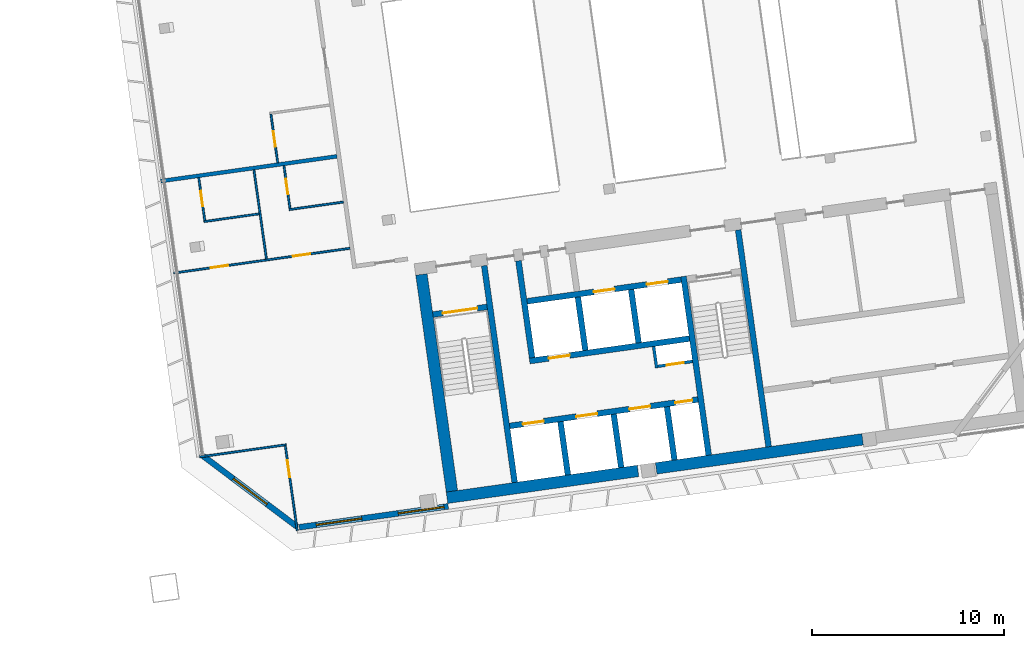
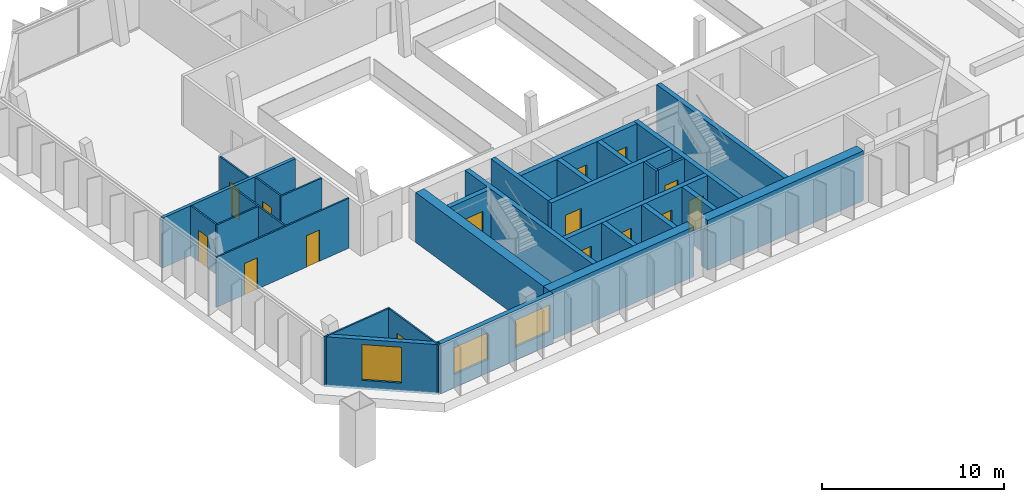
# One storey, part 13 of 19: 30 walls, 15 doors, 3 windows, 18 openings.
"""IFC4 building model written with IfcOpenShell, lengths in metres."""

from ifc_helpers import new_model, si_unit, direction, frame, frame_2d, origin, place, context, subcontext, project, spatial, rectangle, extrude, material, layer, layer_set, type_object, element, fill, save


model = new_model("IFC4")

# Units and contexts
model_context = context("Model", 3, precision=1e-05, world=origin(), true_north=direction((0.0, 1.0)))
body_context = subcontext(model_context, "Body", "Model", "MODEL_VIEW")
ifc_project = project(units=[si_unit("LENGTHUNIT", "METRE"), si_unit("AREAUNIT", "SQUARE_METRE"), si_unit("VOLUMEUNIT", "CUBIC_METRE"), si_unit("PLANEANGLEUNIT", "RADIAN"), si_unit("MASSUNIT", "GRAM", prefix="KILO")], contexts=[model_context])

# Site, building, storey
site_placement = place(None, origin())
site = spatial("IfcSite", under=ifc_project, at=site_placement, CompositionType="ELEMENT")
building_placement = place(site_placement, origin())
building = spatial("IfcBuilding", under=site, at=building_placement, Name="Mirante Cascada Hotel Towers", CompositionType="ELEMENT")
storey_placement = place(building_placement, frame((0.0, 0.0, 231.8)))
storey = spatial("IfcBuildingStorey", under=building, at=storey_placement, Name="L55", CompositionType="ELEMENT", Elevation=231.8)

# Walls
ifc_material_1 = material(Name="Fire-rated plasterboard on metal studs")
ifc_layer_1 = layer(ifc_material_1, 0.2)
ifc_layer_set_1 = layer_set([ifc_layer_1], Name="Compartment wall 200 EI 120")
wall_type_1 = type_object("IfcWallType", Name="Compartment wall 200 EI 120", PredefinedType="PARTITIONING", material=ifc_layer_set_1)
wall_1_placement = place(storey_placement, frame((22.4148, -3.066, 0.0), z_axis=(0.0, 0.0, 1.0), x_axis=(0.9902681, 0.1391728, 0.0)))
element("IfcWall", 1, at=wall_1_placement, inside=storey, type_object=wall_type_1, Name="Wall 2-L55-06", PredefinedType="PARTITIONING", context=body_context, shape_type="SweptSolid", body=[
    extrude(rectangle(XDim=9.2597, YDim=0.2, at=frame_2d((4.6298, 0.0))), origin(), (0.0, 0.0, 1.0), 3.35),
])
ifc_material_2 = material(Name="Masonry block", Category="masonry")
ifc_layer_2 = layer(ifc_material_2, 0.15)
ifc_layer_set_2 = layer_set([ifc_layer_2], Name="Core room partition 150 block EI 30")
wall_type_2 = type_object("IfcWallType", Name="Core room partition 150 block EI 30", PredefinedType="PARTITIONING", material=ifc_layer_set_2)
wall_2_placement = place(storey_placement, frame((48.2295, -12.793, 0.0), z_axis=(0.0, 0.0, 1.0), x_axis=(-0.1391935, 0.9902652, 0.0)))
element("IfcWall", 2, at=wall_2_placement, inside=storey, type_object=wall_type_2, Name="Core wall partition T2 L55 2", PredefinedType="PARTITIONING", context=body_context, shape_type="SweptSolid", body=[
    extrude(rectangle(XDim=1.1251, YDim=0.15, at=frame_2d((0.5626, 0.0))), origin(), (0.0, 0.0, 1.0), 3.35),
])

# Wall, opening, door
wall_3_placement = place(storey_placement, frame((48.2933, -12.7083, 0.0), z_axis=(0.0, 0.0, 1.0), x_axis=(0.990268, 0.1391734, 0.0)))
wall_3 = element("IfcWall", 3, at=wall_3_placement, inside=storey, type_object=wall_type_2, Name="Core wall partition T2 L55 3", PredefinedType="PARTITIONING", context=body_context, shape_type="SweptSolid", body=[
    extrude(rectangle(XDim=1.8251, YDim=0.15, at=frame_2d((0.9126, 0.0))), origin(), (0.0, 0.0, 1.0), 3.35),
])
opening_1_placement = place(wall_3_placement, frame((0.4625, 0.0, 0.0)))
opening_1 = element("IfcOpeningElement", 4, at=opening_1_placement, cuts=wall_3, Name="Opening D2-55-C15", PredefinedType="OPENING", context=body_context, shape_type="SweptSolid", body=[
    extrude(rectangle(XDim=0.9, YDim=2.1, at=frame_2d((0.45, 1.05))), frame((0.0, 0.075, 0.0), z_axis=(0.0, -1.0, 0.0), x_axis=(1.0, 0.0, 0.0)), (0.0, 0.0, 1.0), 0.15),
])
ifc_material_3 = material(Name="Hollow metal fire door leaf")
door_type_1 = type_object("IfcDoorType", Name="Fire door 900x2100 FD60", OperationType="NOTDEFINED", PredefinedType="DOOR", material=ifc_material_3)
door_1_placement = place(opening_1_placement, frame((0.9, 0.0, 0.0), z_axis=(0.0, 0.0, 1.0), x_axis=(-1.0, 0.0, 0.0)))
door_1 = element("IfcDoor", 5, at=door_1_placement, inside=storey, type_object=door_type_1, Name="Riser door T2 L55 15", OperationType="SINGLE_SWING_RIGHT", OverallHeight=2.1, OverallWidth=0.9, PredefinedType="DOOR", context=body_context, shape_type="SweptSolid", body=[
    extrude(rectangle(XDim=0.9, YDim=2.1, at=frame_2d((0.45, 1.05))), frame((0.0, 0.025, 0.0), z_axis=(0.0, -1.0, 0.0), x_axis=(1.0, 0.0, 0.0)), (0.0, 0.0, 1.0), 0.05),
])
fill(opening_1, door_1)

# Wall
ifc_material_4 = material(Name="Plasterboard on metal studs")
ifc_layer_3 = layer(ifc_material_4, 0.1)
ifc_layer_set_3 = layer_set([ifc_layer_3], Name="Partition 100")
wall_type_3 = type_object("IfcWallType", Name="Partition 100", PredefinedType="PARTITIONING", material=ifc_layer_set_3)
wall_4_placement = place(storey_placement, frame((28.9386, -16.7917, 0.0), z_axis=(0.0, 0.0, 1.0), x_axis=(-0.9902691, -0.1391656, 0.0)))
element("IfcWall", 6, at=wall_4_placement, inside=storey, type_object=wall_type_3, Name="Wall 2-L55-01", PredefinedType="PARTITIONING", context=body_context, shape_type="SweptSolid", body=[
    extrude(rectangle(XDim=4.55, YDim=0.1, at=frame_2d((2.275, 0.0))), origin(), (0.0, 0.0, 1.0), 3.35),
])

# Wall, openings, doors
wall_5_placement = place(storey_placement, frame((32.2571, -6.5636, 0.0), z_axis=(0.0, 0.0, 1.0), x_axis=(-0.9902681, -0.1391728, 0.0)))
wall_5 = element("IfcWall", 7, at=wall_5_placement, inside=storey, type_object=wall_type_3, Name="Wall 2-L55-03", PredefinedType="PARTITIONING", context=body_context, shape_type="SweptSolid", body=[
    extrude(rectangle(XDim=9.2597, YDim=0.1, at=frame_2d((4.6298, 0.0))), origin(), (0.0, 0.0, 1.0), 3.35),
])
opening_2_placement = place(wall_5_placement, frame((6.4097, 0.0, 0.0)))
opening_2 = element("IfcOpeningElement", 8, at=opening_2_placement, cuts=wall_5, Name="Opening D2-L55-02", PredefinedType="OPENING", context=body_context, shape_type="SweptSolid", body=[
    extrude(rectangle(XDim=0.9, YDim=2.1, at=frame_2d((0.45, 1.05))), frame((0.0, 0.05, 0.0), z_axis=(0.0, -1.0, 0.0), x_axis=(1.0, 0.0, 0.0)), (0.0, 0.0, 1.0), 0.1),
])
opening_3_placement = place(wall_5_placement, frame((2.0899, 0.0, 0.0)))
opening_3 = element("IfcOpeningElement", 9, at=opening_3_placement, cuts=wall_5, Name="Opening D2-L55-03", PredefinedType="OPENING", context=body_context, shape_type="SweptSolid", body=[
    extrude(rectangle(XDim=0.9, YDim=2.1, at=frame_2d((0.45, 1.05))), frame((0.0, 0.05, 0.0), z_axis=(0.0, -1.0, 0.0), x_axis=(1.0, 0.0, 0.0)), (0.0, 0.0, 1.0), 0.1),
])
ifc_material_5 = material(Name="Timber door leaf", Category="wood")
door_type_2 = type_object("IfcDoorType", Name="Room door DG3 900x2100", OperationType="SINGLE_SWING_LEFT", PredefinedType="DOOR", material=ifc_material_5)
door_2_placement = place(opening_2_placement, origin())
door_2 = element("IfcDoor", 10, at=door_2_placement, inside=storey, type_object=door_type_2, Name="Door D2-L55-02", OperationType="SINGLE_SWING_LEFT", OverallHeight=2.1, OverallWidth=0.9, PredefinedType="DOOR", context=body_context, shape_type="SweptSolid", body=[
    extrude(rectangle(XDim=0.9, YDim=2.1, at=frame_2d((0.45, 1.05))), frame((0.0, 0.025, 0.0), z_axis=(0.0, -1.0, 0.0), x_axis=(1.0, 0.0, 0.0)), (0.0, 0.0, 1.0), 0.05),
])
fill(opening_2, door_2)
door_3_placement = place(opening_3_placement, origin())
door_3 = element("IfcDoor", 11, at=door_3_placement, inside=storey, type_object=door_type_2, Name="Door D2-L55-03", OperationType="SINGLE_SWING_LEFT", OverallHeight=2.1, OverallWidth=0.9, PredefinedType="DOOR", context=body_context, shape_type="SweptSolid", body=[
    extrude(rectangle(XDim=0.9, YDim=2.1, at=frame_2d((0.45, 1.05))), frame((0.0, 0.025, 0.0), z_axis=(0.0, -1.0, 0.0), x_axis=(1.0, 0.0, 0.0)), (0.0, 0.0, 1.0), 0.05),
])
fill(opening_3, door_3)

# Walls
wall_6_placement = place(storey_placement, frame((24.66, -5.1741, 0.0), z_axis=(0.0, 0.0, 1.0), x_axis=(0.9902683, 0.1391714, 0.0)))
element("IfcWall", 12, at=wall_6_placement, inside=storey, type_object=wall_type_3, Name="Wall 2-L55-04", PredefinedType="PARTITIONING", context=body_context, shape_type="SweptSolid", body=[
    extrude(rectangle(XDim=2.9, YDim=0.1, at=frame_2d((1.45, 0.0))), origin(), (0.0, 0.0, 1.0), 3.35),
])
wall_7_placement = place(storey_placement, frame((31.9184, -4.154, 0.0), z_axis=(0.0, 0.0, 1.0), x_axis=(-0.9902697, -0.1391613, 0.0)))
element("IfcWall", 13, at=wall_7_placement, inside=storey, type_object=wall_type_3, Name="Wall 2-L55-05", PredefinedType="PARTITIONING", context=body_context, shape_type="SweptSolid", body=[
    extrude(rectangle(XDim=2.8499, YDim=0.1, at=frame_2d((1.425, 0.0))), origin(), (0.0, 0.0, 1.0), 3.35),
])

# Wall, opening, door
wall_8_placement = place(storey_placement, frame((24.7025, -5.1176, 0.0), z_axis=(0.0, 0.0, 1.0), x_axis=(-0.1391561, 0.9902705, 0.0)))
wall_8 = element("IfcWall", 14, at=wall_8_placement, inside=storey, type_object=wall_type_3, Name="Wall 2-L55-18", PredefinedType="PARTITIONING", context=body_context, shape_type="SweptSolid", body=[
    extrude(rectangle(XDim=2.25, YDim=0.1, at=frame_2d((1.125, 0.0))), origin(), (0.0, 0.0, 1.0), 3.35),
])
opening_4_placement = place(wall_8_placement, frame((0.75, 0.0, 0.0)))
opening_4 = element("IfcOpeningElement", 15, at=opening_4_placement, cuts=wall_8, Name="Opening D2-L55-14", PredefinedType="OPENING", context=body_context, shape_type="SweptSolid", body=[
    extrude(rectangle(XDim=0.8, YDim=2.1, at=frame_2d((0.4, 1.05))), frame((0.0, 0.05, 0.0), z_axis=(0.0, -1.0, 0.0), x_axis=(1.0, 0.0, 0.0)), (0.0, 0.0, 1.0), 0.1),
])
ifc_material_6 = material(Name="Timber door leaf", Category="wood")
door_type_3 = type_object("IfcDoorType", Name="Bathroom door DG4 800x2100", OperationType="SINGLE_SWING_LEFT", PredefinedType="DOOR", material=ifc_material_6)
door_4_placement = place(opening_4_placement, frame((0.8, 0.0, 0.0), z_axis=(0.0, 0.0, 1.0), x_axis=(-1.0, 0.0, 0.0)))
door_4 = element("IfcDoor", 16, at=door_4_placement, inside=storey, type_object=door_type_3, Name="Door D2-L55-14", OperationType="SINGLE_SWING_RIGHT", OverallHeight=2.1, OverallWidth=0.8, PredefinedType="DOOR", context=body_context, shape_type="SweptSolid", body=[
    extrude(rectangle(XDim=0.8, YDim=2.1, at=frame_2d((0.4, 1.05))), frame((0.0, 0.025, 0.0), z_axis=(0.0, -1.0, 0.0), x_axis=(1.0, 0.0, 0.0)), (0.0, 0.0, 1.0), 0.05),
])
fill(opening_4, door_4)

wall_9_placement = place(storey_placement, frame((28.896, -16.8481, 0.0), z_axis=(0.0, 0.0, 1.0), x_axis=(0.1391684, -0.9902687, 0.0)))
wall_9 = element("IfcWall", 17, at=wall_9_placement, inside=storey, type_object=wall_type_3, Name="Wall 2-L55-19", PredefinedType="PARTITIONING", context=body_context, shape_type="SweptSolid", body=[
    extrude(rectangle(XDim=4.45, YDim=0.1, at=frame_2d((2.225, 0.0))), origin(), (0.0, 0.0, 1.0), 3.35),
])
opening_5_placement = place(wall_9_placement, frame((0.75, 0.0, 0.0)))
opening_5 = element("IfcOpeningElement", 18, at=opening_5_placement, cuts=wall_9, Name="Opening D2-L55-15", PredefinedType="OPENING", context=body_context, shape_type="SweptSolid", body=[
    extrude(rectangle(XDim=0.9, YDim=2.1, at=frame_2d((0.45, 1.05))), frame((0.0, 0.05, 0.0), z_axis=(0.0, -1.0, 0.0), x_axis=(1.0, 0.0, 0.0)), (0.0, 0.0, 1.0), 0.1),
])
door_5_placement = place(opening_5_placement, origin())
door_5 = element("IfcDoor", 19, at=door_5_placement, inside=storey, type_object=door_type_2, Name="Door D2-L55-15", OperationType="SINGLE_SWING_LEFT", OverallHeight=2.1, OverallWidth=0.9, PredefinedType="DOOR", context=body_context, shape_type="SweptSolid", body=[
    extrude(rectangle(XDim=0.9, YDim=2.1, at=frame_2d((0.45, 1.05))), frame((0.0, 0.025, 0.0), z_axis=(0.0, -1.0, 0.0), x_axis=(1.0, 0.0, 0.0)), (0.0, 0.0, 1.0), 0.05),
])
fill(opening_5, door_5)

# Wall
wall_10_placement = place(storey_placement, frame((27.913, -7.1236, 0.0), z_axis=(0.0, 0.0, 1.0), x_axis=(-0.139176, 0.9902677, 0.0)))
element("IfcWall", 20, at=wall_10_placement, inside=storey, type_object=wall_type_3, Name="Wall 2-L55-20", PredefinedType="PARTITIONING", context=body_context, shape_type="SweptSolid", body=[
    extrude(rectangle(XDim=4.6833, YDim=0.1, at=frame_2d((2.3416, 0.0))), origin(), (0.0, 0.0, 1.0), 3.35),
])

# Wall, opening, door
wall_11_placement = place(storey_placement, frame((28.1458, 0.4155, 0.0), z_axis=(0.0, 0.0, 1.0), x_axis=(0.1391755, -0.9902677, 0.0)))
wall_11 = element("IfcWall", 21, at=wall_11_placement, inside=storey, type_object=wall_type_3, Name="Wall 2-L55-21", PredefinedType="PARTITIONING", context=body_context, shape_type="SweptSolid", body=[
    extrude(rectangle(XDim=2.55, YDim=0.1, at=frame_2d((1.275, 0.0))), origin(), (0.0, 0.0, 1.0), 3.35),
])
opening_6_placement = place(wall_11_placement, frame((0.9, 0.0, 0.0)))
opening_6 = element("IfcOpeningElement", 22, at=opening_6_placement, cuts=wall_11, Name="Opening D2-L55-16", PredefinedType="OPENING", context=body_context, shape_type="SweptSolid", body=[
    extrude(rectangle(XDim=0.8, YDim=2.1, at=frame_2d((0.4, 1.05))), frame((0.0, 0.05, 0.0), z_axis=(0.0, -1.0, 0.0), x_axis=(1.0, 0.0, 0.0)), (0.0, 0.0, 1.0), 0.1),
])
door_6_placement = place(opening_6_placement, frame((0.8, 0.0, 0.0), z_axis=(0.0, 0.0, 1.0), x_axis=(-1.0, 0.0, 0.0)))
door_6 = element("IfcDoor", 23, at=door_6_placement, inside=storey, type_object=door_type_3, Name="Door D2-L55-16", OperationType="SINGLE_SWING_RIGHT", OverallHeight=2.1, OverallWidth=0.8, PredefinedType="DOOR", context=body_context, shape_type="SweptSolid", body=[
    extrude(rectangle(XDim=0.8, YDim=2.1, at=frame_2d((0.4, 1.05))), frame((0.0, 0.025, 0.0), z_axis=(0.0, -1.0, 0.0), x_axis=(1.0, 0.0, 0.0)), (0.0, 0.0, 1.0), 0.05),
])
fill(opening_6, door_6)

wall_12_placement = place(storey_placement, frame((29.1387, -4.4941, 0.0), z_axis=(0.0, 0.0, 1.0), x_axis=(-0.1391561, 0.9902705, 0.0)))
wall_12 = element("IfcWall", 24, at=wall_12_placement, inside=storey, type_object=wall_type_3, Name="Wall 2-L55-22", PredefinedType="PARTITIONING", context=body_context, shape_type="SweptSolid", body=[
    extrude(rectangle(XDim=2.25, YDim=0.1, at=frame_2d((1.125, 0.0))), origin(), (0.0, 0.0, 1.0), 3.35),
])
opening_7_placement = place(wall_12_placement, frame((0.75, 0.0, 0.0)))
opening_7 = element("IfcOpeningElement", 25, at=opening_7_placement, cuts=wall_12, Name="Opening D2-L55-17", PredefinedType="OPENING", context=body_context, shape_type="SweptSolid", body=[
    extrude(rectangle(XDim=0.8, YDim=2.1, at=frame_2d((0.4, 1.05))), frame((0.0, 0.05, 0.0), z_axis=(0.0, -1.0, 0.0), x_axis=(1.0, 0.0, 0.0)), (0.0, 0.0, 1.0), 0.1),
])
door_7_placement = place(opening_7_placement, frame((0.8, 0.0, 0.0), z_axis=(0.0, 0.0, 1.0), x_axis=(-1.0, 0.0, 0.0)))
door_7 = element("IfcDoor", 26, at=door_7_placement, inside=storey, type_object=door_type_3, Name="Door D2-L55-17", OperationType="SINGLE_SWING_RIGHT", OverallHeight=2.1, OverallWidth=0.8, PredefinedType="DOOR", context=body_context, shape_type="SweptSolid", body=[
    extrude(rectangle(XDim=0.8, YDim=2.1, at=frame_2d((0.4, 1.05))), frame((0.0, 0.025, 0.0), z_axis=(0.0, -1.0, 0.0), x_axis=(1.0, 0.0, 0.0)), (0.0, 0.0, 1.0), 0.05),
])
fill(opening_7, door_7)

# Wall, openings, windows
ifc_material_7 = material(Name="Precast concrete C40/50", Category="concrete")
ifc_layer_4 = layer(ifc_material_7, 0.3)
ifc_layer_set_4 = layer_set([ifc_layer_4], Name="Precast concrete C40/50 cladding wall 300")
wall_type_4 = type_object("IfcWallType", Name="Precast concrete C40/50 cladding wall 300", PredefinedType="STANDARD", material=ifc_layer_set_4)
wall_13_placement = place(storey_placement, frame((29.6174, -21.089, 0.0), z_axis=(0.0, 0.0, 1.0), x_axis=(0.990268, 0.1391733, 0.0)))
wall_13 = element("IfcWall", 27, at=wall_13_placement, inside=storey, type_object=wall_type_4, Name="Rear cladding wall T2 L55 1", PredefinedType="STANDARD", context=body_context, shape_type="SweptSolid", body=[
    extrude(rectangle(XDim=7.8356, YDim=0.3, at=frame_2d((3.9178, 0.0))), origin(), (0.0, 0.0, 1.0), 3.35),
])
opening_8_placement = place(wall_13_placement, frame((0.8965, 0.0, 0.9)))
opening_8 = element("IfcOpeningElement", 28, at=opening_8_placement, cuts=wall_13, Name="Opening W2-55-01", PredefinedType="OPENING", context=body_context, shape_type="SweptSolid", body=[
    extrude(rectangle(XDim=2.4, YDim=1.8, at=frame_2d((1.2, 0.9))), frame((0.0, 0.15, 0.0), z_axis=(0.0, -1.0, 0.0), x_axis=(1.0, 0.0, 0.0)), (0.0, 0.0, 1.0), 0.3),
])
opening_9_placement = place(wall_13_placement, frame((5.2134, 0.0, 0.9)))
opening_9 = element("IfcOpeningElement", 29, at=opening_9_placement, cuts=wall_13, Name="Opening W2-55-02", PredefinedType="OPENING", context=body_context, shape_type="SweptSolid", body=[
    extrude(rectangle(XDim=2.4, YDim=1.8, at=frame_2d((1.2, 0.9))), frame((0.0, 0.15, 0.0), z_axis=(0.0, -1.0, 0.0), x_axis=(1.0, 0.0, 0.0)), (0.0, 0.0, 1.0), 0.3),
])
ifc_material_8 = material(Name="Aluminium frame with clear double glazing", Category="aluminium")
window_type_1 = type_object("IfcWindowType", Name="Punched window 2400x1800", PartitioningType="DOUBLE_PANEL_VERTICAL", PredefinedType="WINDOW", material=ifc_material_8)
window_1_placement = place(opening_8_placement, origin())
window_1 = element("IfcWindow", 30, at=window_1_placement, inside=storey, type_object=window_type_1, Name="Window W2-55-01", OverallHeight=1.8, OverallWidth=2.4, PartitioningType="SINGLE_PANEL", PredefinedType="WINDOW", context=body_context, shape_type="SweptSolid", body=[
    extrude(rectangle(XDim=2.4, YDim=1.8, at=frame_2d((1.2, 0.9))), frame((0.0, 0.03, 0.0), z_axis=(0.0, -1.0, 0.0), x_axis=(1.0, 0.0, 0.0)), (0.0, 0.0, 1.0), 0.06),
])
fill(opening_8, window_1)
window_2_placement = place(opening_9_placement, origin())
window_2 = element("IfcWindow", 31, at=window_2_placement, inside=storey, type_object=window_type_1, Name="Window W2-55-02", OverallHeight=1.8, OverallWidth=2.4, PartitioningType="SINGLE_PANEL", PredefinedType="WINDOW", context=body_context, shape_type="SweptSolid", body=[
    extrude(rectangle(XDim=2.4, YDim=1.8, at=frame_2d((1.2, 0.9))), frame((0.0, 0.03, 0.0), z_axis=(0.0, -1.0, 0.0), x_axis=(1.0, 0.0, 0.0)), (0.0, 0.0, 1.0), 0.06),
])
fill(opening_9, window_2)

# Wall, opening, window
wall_14_placement = place(storey_placement, frame((24.6223, -17.3798, 0.0), z_axis=(0.0, 0.0, 1.0), x_axis=(0.7986362, -0.6018141, 0.0)))
wall_14 = element("IfcWall", 32, at=wall_14_placement, inside=storey, type_object=wall_type_4, Name="Corner cladding wall T2 L55 inner rear", PredefinedType="STANDARD", context=body_context, shape_type="SweptSolid", body=[
    extrude(rectangle(XDim=6.1157, YDim=0.3, at=frame_2d((3.0578, 0.0))), origin(), (0.0, 0.0, 1.0), 3.35),
])
opening_10_placement = place(wall_14_placement, frame((1.9578, 0.0, 0.6)))
opening_10 = element("IfcOpeningElement", 33, at=opening_10_placement, cuts=wall_14, Name="Opening W2-55-06", PredefinedType="OPENING", context=body_context, shape_type="SweptSolid", body=[
    extrude(rectangle(XDim=2.2, YDim=2.4, at=frame_2d((1.1, 1.2))), frame((0.0, 0.15, 0.0), z_axis=(0.0, -1.0, 0.0), x_axis=(1.0, 0.0, 0.0)), (0.0, 0.0, 1.0), 0.3),
])
ifc_material_9 = material(Name="Aluminium frame with clear double glazing", Category="aluminium")
window_type_2 = type_object("IfcWindowType", Name="Corner suite window 2200x2400", PartitioningType="DOUBLE_PANEL_VERTICAL", PredefinedType="WINDOW", material=ifc_material_9)
window_3_placement = place(opening_10_placement, origin())
window_3 = element("IfcWindow", 34, at=window_3_placement, inside=storey, type_object=window_type_2, Name="Window W2-55-06", OverallHeight=2.4, OverallWidth=2.2, PartitioningType="SINGLE_PANEL", PredefinedType="WINDOW", context=body_context, shape_type="SweptSolid", body=[
    extrude(rectangle(XDim=2.2, YDim=2.4, at=frame_2d((1.1, 1.2))), frame((0.0, 0.03, 0.0), z_axis=(0.0, -1.0, 0.0), x_axis=(1.0, 0.0, 0.0)), (0.0, 0.0, 1.0), 0.06),
])
fill(opening_10, window_3)

# Walls
ifc_material_10 = material(Name="Concrete C50/60", Category="concrete")
ifc_layer_5 = layer(ifc_material_10, 0.3)
ifc_layer_set_5 = layer_set([ifc_layer_5], Name="RC core wall 300 C50/60")
wall_type_5 = type_object("IfcWallType", Name="RC core wall 300 C50/60", PredefinedType="SHEAR", material=ifc_layer_set_5)
wall_15_placement = place(storey_placement, frame((40.8373, -18.7548, 0.0), z_axis=(0.0, 0.0, 1.0), x_axis=(-0.1391749, 0.9902678, 0.0)))
element("IfcWall", 35, at=wall_15_placement, inside=storey, type_object=wall_type_5, Name="Core wall T2:L55:5", PredefinedType="SHEAR", context=body_context, shape_type="SweptSolid", body=[
    extrude(rectangle(XDim=11.4, YDim=0.3, at=frame_2d((5.7, 0.0))), origin(), (0.0, 0.0, 1.0), 3.35),
])
wall_16_placement = place(storey_placement, frame((50.938, -17.3352, 0.0), z_axis=(0.0, 0.0, 1.0), x_axis=(-0.1391706, 0.9902684, 0.0)))
element("IfcWall", 36, at=wall_16_placement, inside=storey, type_object=wall_type_5, Name="Core wall T2:L55:6", PredefinedType="SHEAR", context=body_context, shape_type="SweptSolid", body=[
    extrude(rectangle(XDim=9.4, YDim=0.3, at=frame_2d((4.7, 0.0))), origin(), (0.0, 0.0, 1.0), 3.35),
])
wall_17_placement = place(storey_placement, frame((54.0574, -16.8968, 0.0), z_axis=(0.0, 0.0, 1.0), x_axis=(-0.1391761, 0.9902677, 0.0)))
element("IfcWall", 37, at=wall_17_placement, inside=storey, type_object=wall_type_5, Name="Core wall T2:L55:7", PredefinedType="SHEAR", context=body_context, shape_type="SweptSolid", body=[
    extrude(rectangle(XDim=11.3999, YDim=0.3, at=frame_2d((5.7, 0.0))), origin(), (0.0, 0.0, 1.0), 3.35),
])

# Wall, opening, door
wall_18_placement = place(storey_placement, frame((36.5791, -10.0123, 0.0), z_axis=(0.0, 0.0, 1.0), x_axis=(0.9902704, 0.1391564, 0.0)))
wall_18 = element("IfcWall", 38, at=wall_18_placement, inside=storey, type_object=wall_type_5, Name="Core wall T2:L55:8", PredefinedType="SHEAR", context=body_context, shape_type="SweptSolid", body=[
    extrude(rectangle(XDim=2.85, YDim=0.3, at=frame_2d((1.425, 0.0))), origin(), (0.0, 0.0, 1.0), 3.35),
])
opening_11_placement = place(wall_18_placement, frame((0.525, 0.0, 0.0)))
opening_11 = element("IfcOpeningElement", 39, at=opening_11_placement, cuts=wall_18, Name="Opening D2-55-C07", PredefinedType="OPENING", context=body_context, shape_type="SweptSolid", body=[
    extrude(rectangle(XDim=1.8, YDim=2.1, at=frame_2d((0.9, 1.05))), frame((0.0, 0.15, 0.0), z_axis=(0.0, -1.0, 0.0), x_axis=(1.0, 0.0, 0.0)), (0.0, 0.0, 1.0), 0.3),
])
ifc_material_11 = material(Name="Hollow metal fire door leaf")
door_type_4 = type_object("IfcDoorType", Name="Double fire door 1800x2100 FD60", OperationType="DOUBLE_DOOR_SINGLE_SWING", PredefinedType="DOOR", material=ifc_material_11)
door_8_placement = place(opening_11_placement, frame((1.8, 0.0, 0.0), z_axis=(0.0, 0.0, 1.0), x_axis=(-1.0, 0.0, 0.0)))
door_8 = element("IfcDoor", 40, at=door_8_placement, inside=storey, type_object=door_type_4, Name="Stair door T2 L55 7", OperationType="DOUBLE_DOOR_SINGLE_SWING", OverallHeight=2.1, OverallWidth=1.8, PredefinedType="DOOR", context=body_context, shape_type="SweptSolid", body=[
    extrude(rectangle(XDim=0.895, YDim=2.1, at=frame_2d((0.4475, 1.05))), frame((0.0, 0.025, 0.0), z_axis=(0.0, -1.0, 0.0), x_axis=(1.0, 0.0, 0.0)), (0.0, 0.0, 1.0), 0.05),
    extrude(rectangle(XDim=0.895, YDim=2.1, at=frame_2d((1.3525, 1.05))), frame((0.0, 0.025, 0.0), z_axis=(0.0, -1.0, 0.0), x_axis=(1.0, 0.0, 0.0)), (0.0, 0.0, 1.0), 0.05),
])
fill(opening_11, door_8)

# Wall, openings, doors
wall_19_placement = place(storey_placement, frame((40.5753, -15.8126, 0.0), z_axis=(0.0, 0.0, 1.0), x_axis=(0.9902682, 0.1391725, 0.0)))
wall_19 = element("IfcWall", 41, at=wall_19_placement, inside=storey, type_object=wall_type_5, Name="Core wall T2:L55:10", PredefinedType="SHEAR", context=body_context, shape_type="SweptSolid", body=[
    extrude(rectangle(XDim=9.8999, YDim=0.3, at=frame_2d((4.95, 0.0))), origin(), (0.0, 0.0, 1.0), 3.35),
])
opening_12_placement = place(wall_19_placement, frame((0.7, 0.0, 0.0)))
opening_12 = element("IfcOpeningElement", 42, at=opening_12_placement, cuts=wall_19, Name="Opening LD", PredefinedType="OPENING", context=body_context, shape_type="SweptSolid", body=[
    extrude(rectangle(XDim=1.1, YDim=2.1, at=frame_2d((0.55, 1.05))), frame((0.0, 0.15, 0.0), z_axis=(0.0, -1.0, 0.0), x_axis=(1.0, 0.0, 0.0)), (0.0, 0.0, 1.0), 0.3),
])
opening_13_placement = place(wall_19_placement, frame((3.5, 0.0, 0.0)))
opening_13 = element("IfcOpeningElement", 43, at=opening_13_placement, cuts=wall_19, Name="Opening LD", PredefinedType="OPENING", context=body_context, shape_type="SweptSolid", body=[
    extrude(rectangle(XDim=1.1, YDim=2.1, at=frame_2d((0.55, 1.05))), frame((0.0, 0.15, 0.0), z_axis=(0.0, -1.0, 0.0), x_axis=(1.0, 0.0, 0.0)), (0.0, 0.0, 1.0), 0.3),
])
opening_14_placement = place(wall_19_placement, frame((6.3, 0.0, 0.0)))
opening_14 = element("IfcOpeningElement", 44, at=opening_14_placement, cuts=wall_19, Name="Opening LD", PredefinedType="OPENING", context=body_context, shape_type="SweptSolid", body=[
    extrude(rectangle(XDim=1.1, YDim=2.1, at=frame_2d((0.55, 1.05))), frame((0.0, 0.15, 0.0), z_axis=(0.0, -1.0, 0.0), x_axis=(1.0, 0.0, 0.0)), (0.0, 0.0, 1.0), 0.3),
])
opening_15_placement = place(wall_19_placement, frame((8.7, 0.0, 0.0)))
opening_15 = element("IfcOpeningElement", 45, at=opening_15_placement, cuts=wall_19, Name="Opening D2-55-C14", PredefinedType="OPENING", context=body_context, shape_type="SweptSolid", body=[
    extrude(rectangle(XDim=0.9, YDim=2.1, at=frame_2d((0.45, 1.05))), frame((0.0, 0.15, 0.0), z_axis=(0.0, -1.0, 0.0), x_axis=(1.0, 0.0, 0.0)), (0.0, 0.0, 1.0), 0.3),
])
door_9_placement = place(opening_15_placement, frame((0.9, 0.0, 0.0), z_axis=(0.0, 0.0, 1.0), x_axis=(-1.0, 0.0, 0.0)))
door_9 = element("IfcDoor", 46, at=door_9_placement, inside=storey, type_object=door_type_1, Name="Riser door T2 L55 14", OperationType="SINGLE_SWING_RIGHT", OverallHeight=2.1, OverallWidth=0.9, PredefinedType="DOOR", context=body_context, shape_type="SweptSolid", body=[
    extrude(rectangle(XDim=0.9, YDim=2.1, at=frame_2d((0.45, 1.05))), frame((0.0, 0.025, 0.0), z_axis=(0.0, -1.0, 0.0), x_axis=(1.0, 0.0, 0.0)), (0.0, 0.0, 1.0), 0.05),
])
fill(opening_15, door_9)
ifc_material_12 = material(Name="Stainless steel", Category="steel")
door_type_5 = type_object("IfcDoorType", Name="Lift landing door 1100x2100 EI 120", OperationType="DOUBLE_DOOR_SLIDING", PredefinedType="DOOR", material=ifc_material_12)
door_10_placement = place(opening_12_placement, origin())
door_10 = element("IfcDoor", 47, at=door_10_placement, inside=storey, type_object=door_type_5, Name="Lift landing door HR2-1 L55", OperationType="DOUBLE_DOOR_SLIDING", OverallHeight=2.1, OverallWidth=1.1, PredefinedType="DOOR", context=body_context, shape_type="SweptSolid", body=[
    extrude(rectangle(XDim=0.545, YDim=2.1, at=frame_2d((0.2725, 1.05))), frame((0.0, 0.025, 0.0), z_axis=(0.0, -1.0, 0.0), x_axis=(1.0, 0.0, 0.0)), (0.0, 0.0, 1.0), 0.05),
    extrude(rectangle(XDim=0.545, YDim=2.1, at=frame_2d((0.8275, 1.05))), frame((0.0, 0.025, 0.0), z_axis=(0.0, -1.0, 0.0), x_axis=(1.0, 0.0, 0.0)), (0.0, 0.0, 1.0), 0.05),
])
fill(opening_12, door_10)
door_11_placement = place(opening_13_placement, origin())
door_11 = element("IfcDoor", 48, at=door_11_placement, inside=storey, type_object=door_type_5, Name="Lift landing door HR2-2 L55", OperationType="DOUBLE_DOOR_SLIDING", OverallHeight=2.1, OverallWidth=1.1, PredefinedType="DOOR", context=body_context, shape_type="SweptSolid", body=[
    extrude(rectangle(XDim=0.545, YDim=2.1, at=frame_2d((0.2725, 1.05))), frame((0.0, 0.025, 0.0), z_axis=(0.0, -1.0, 0.0), x_axis=(1.0, 0.0, 0.0)), (0.0, 0.0, 1.0), 0.05),
    extrude(rectangle(XDim=0.545, YDim=2.1, at=frame_2d((0.8275, 1.05))), frame((0.0, 0.025, 0.0), z_axis=(0.0, -1.0, 0.0), x_axis=(1.0, 0.0, 0.0)), (0.0, 0.0, 1.0), 0.05),
])
fill(opening_13, door_11)
door_12_placement = place(opening_14_placement, origin())
door_12 = element("IfcDoor", 49, at=door_12_placement, inside=storey, type_object=door_type_5, Name="Lift landing door HR2-3 L55", OperationType="DOUBLE_DOOR_SLIDING", OverallHeight=2.1, OverallWidth=1.1, PredefinedType="DOOR", context=body_context, shape_type="SweptSolid", body=[
    extrude(rectangle(XDim=0.545, YDim=2.1, at=frame_2d((0.2725, 1.05))), frame((0.0, 0.025, 0.0), z_axis=(0.0, -1.0, 0.0), x_axis=(1.0, 0.0, 0.0)), (0.0, 0.0, 1.0), 0.05),
    extrude(rectangle(XDim=0.545, YDim=2.1, at=frame_2d((0.8275, 1.05))), frame((0.0, 0.025, 0.0), z_axis=(0.0, -1.0, 0.0), x_axis=(1.0, 0.0, 0.0)), (0.0, 0.0, 1.0), 0.05),
])
fill(opening_14, door_12)

# Wall, opening, door
wall_20_placement = place(storey_placement, frame((41.6153, -12.435, 0.0), z_axis=(0.0, 0.0, 1.0), x_axis=(0.9902691, 0.139166, 0.0)))
wall_20 = element("IfcWall", 50, at=wall_20_placement, inside=storey, type_object=wall_type_5, Name="Core wall T2:L55:11", PredefinedType="SHEAR", context=body_context, shape_type="SweptSolid", body=[
    extrude(rectangle(XDim=8.4, YDim=0.3, at=frame_2d((4.2, 0.0))), origin(), (0.0, 0.0, 1.0), 3.35),
])
opening_16_placement = place(wall_20_placement, frame((1.0, 0.0, 0.0)))
opening_16 = element("IfcOpeningElement", 51, at=opening_16_placement, cuts=wall_20, Name="Opening LD", PredefinedType="OPENING", context=body_context, shape_type="SweptSolid", body=[
    extrude(rectangle(XDim=1.1, YDim=2.1, at=frame_2d((0.55, 1.05))), frame((0.0, 0.15, 0.0), z_axis=(0.0, -1.0, 0.0), x_axis=(1.0, 0.0, 0.0)), (0.0, 0.0, 1.0), 0.3),
])
door_13_placement = place(opening_16_placement, origin())
door_13 = element("IfcDoor", 52, at=door_13_placement, inside=storey, type_object=door_type_5, Name="Lift landing door HR2-4 L55", OperationType="DOUBLE_DOOR_SLIDING", OverallHeight=2.1, OverallWidth=1.1, PredefinedType="DOOR", context=body_context, shape_type="SweptSolid", body=[
    extrude(rectangle(XDim=0.545, YDim=2.1, at=frame_2d((0.2725, 1.05))), frame((0.0, 0.025, 0.0), z_axis=(0.0, -1.0, 0.0), x_axis=(1.0, 0.0, 0.0)), (0.0, 0.0, 1.0), 0.05),
    extrude(rectangle(XDim=0.545, YDim=2.1, at=frame_2d((0.8275, 1.05))), frame((0.0, 0.025, 0.0), z_axis=(0.0, -1.0, 0.0), x_axis=(1.0, 0.0, 0.0)), (0.0, 0.0, 1.0), 0.05),
])
fill(opening_16, door_13)

# Wall, openings, doors
wall_21_placement = place(storey_placement, frame((41.481, -9.3234, 0.0), z_axis=(0.0, 0.0, 1.0), x_axis=(0.9902679, 0.1391741, 0.0)))
wall_21 = element("IfcWall", 53, at=wall_21_placement, inside=storey, type_object=wall_type_5, Name="Core wall T2:L55:12", PredefinedType="SHEAR", context=body_context, shape_type="SweptSolid", body=[
    extrude(rectangle(XDim=8.0999, YDim=0.3, at=frame_2d((4.05, 0.0))), origin(), (0.0, 0.0, 1.0), 3.35),
])
opening_17_placement = place(wall_21_placement, frame((3.5, 0.0, 0.0)))
opening_17 = element("IfcOpeningElement", 54, at=opening_17_placement, cuts=wall_21, Name="Opening LD", PredefinedType="OPENING", context=body_context, shape_type="SweptSolid", body=[
    extrude(rectangle(XDim=1.1, YDim=2.1, at=frame_2d((0.55, 1.05))), frame((0.0, 0.15, 0.0), z_axis=(0.0, -1.0, 0.0), x_axis=(1.0, 0.0, 0.0)), (0.0, 0.0, 1.0), 0.3),
])
opening_18_placement = place(wall_21_placement, frame((6.3, 0.0, 0.0)))
opening_18 = element("IfcOpeningElement", 55, at=opening_18_placement, cuts=wall_21, Name="Opening LD", PredefinedType="OPENING", context=body_context, shape_type="SweptSolid", body=[
    extrude(rectangle(XDim=1.1, YDim=2.1, at=frame_2d((0.55, 1.05))), frame((0.0, 0.15, 0.0), z_axis=(0.0, -1.0, 0.0), x_axis=(1.0, 0.0, 0.0)), (0.0, 0.0, 1.0), 0.3),
])
door_14_placement = place(opening_17_placement, origin())
door_14 = element("IfcDoor", 56, at=door_14_placement, inside=storey, type_object=door_type_5, Name="Lift landing door FF3 L55", OperationType="DOUBLE_DOOR_SLIDING", OverallHeight=2.1, OverallWidth=1.1, PredefinedType="DOOR", context=body_context, shape_type="SweptSolid", body=[
    extrude(rectangle(XDim=0.545, YDim=2.1, at=frame_2d((0.2725, 1.05))), frame((0.0, 0.025, 0.0), z_axis=(0.0, -1.0, 0.0), x_axis=(1.0, 0.0, 0.0)), (0.0, 0.0, 1.0), 0.05),
    extrude(rectangle(XDim=0.545, YDim=2.1, at=frame_2d((0.8275, 1.05))), frame((0.0, 0.025, 0.0), z_axis=(0.0, -1.0, 0.0), x_axis=(1.0, 0.0, 0.0)), (0.0, 0.0, 1.0), 0.05),
])
fill(opening_17, door_14)
door_15_placement = place(opening_18_placement, origin())
door_15 = element("IfcDoor", 57, at=door_15_placement, inside=storey, type_object=door_type_5, Name="Lift landing door FF4 L55", OperationType="DOUBLE_DOOR_SLIDING", OverallHeight=2.1, OverallWidth=1.1, PredefinedType="DOOR", context=body_context, shape_type="SweptSolid", body=[
    extrude(rectangle(XDim=0.545, YDim=2.1, at=frame_2d((0.2725, 1.05))), frame((0.0, 0.025, 0.0), z_axis=(0.0, -1.0, 0.0), x_axis=(1.0, 0.0, 0.0)), (0.0, 0.0, 1.0), 0.05),
    extrude(rectangle(XDim=0.545, YDim=2.1, at=frame_2d((0.8275, 1.05))), frame((0.0, 0.025, 0.0), z_axis=(0.0, -1.0, 0.0), x_axis=(1.0, 0.0, 0.0)), (0.0, 0.0, 1.0), 0.05),
])
fill(opening_18, door_15)

# Walls
wall_22_placement = place(storey_placement, frame((43.61, -18.3651, 0.0), z_axis=(0.0, 0.0, 1.0), x_axis=(-0.1391459, 0.9902719, 0.0)))
element("IfcWall", 58, at=wall_22_placement, inside=storey, type_object=wall_type_5, Name="Core wall T2:L55:13", PredefinedType="SHEAR", context=body_context, shape_type="SweptSolid", body=[
    extrude(rectangle(XDim=2.7999, YDim=0.3, at=frame_2d((1.4, 0.0))), origin(), (0.0, 0.0, 1.0), 3.35),
])
wall_23_placement = place(storey_placement, frame((46.3828, -17.9754, 0.0), z_axis=(0.0, 0.0, 1.0), x_axis=(-0.139181, 0.990267, 0.0)))
element("IfcWall", 59, at=wall_23_placement, inside=storey, type_object=wall_type_5, Name="Core wall T2:L55:14", PredefinedType="SHEAR", context=body_context, shape_type="SweptSolid", body=[
    extrude(rectangle(XDim=2.8, YDim=0.3, at=frame_2d((1.4, 0.0))), origin(), (0.0, 0.0, 1.0), 3.35),
])
wall_24_placement = place(storey_placement, frame((49.1555, -17.5857, 0.0), z_axis=(0.0, 0.0, 1.0), x_axis=(-0.1391459, 0.9902719, 0.0)))
element("IfcWall", 60, at=wall_24_placement, inside=storey, type_object=wall_type_5, Name="Core wall T2:L55:15", PredefinedType="SHEAR", context=body_context, shape_type="SweptSolid", body=[
    extrude(rectangle(XDim=2.7999, YDim=0.3, at=frame_2d((1.4, 0.0))), origin(), (0.0, 0.0, 1.0), 3.35),
])
for number, where, z_axis, x_axis, name in (
    (61, (44.5157, -11.8759, 0.0), (0.0, 0.0, 1.0), (-0.139181, 0.990267, 0.0), "Core wall T2:L55:16"),
    (62, (47.2885, -11.4862, 0.0), (0.0, 0.0, 1.0), (-0.139181, 0.990267, 0.0), "Core wall T2:L55:17"),
):
    element("IfcWall", number, at=place(storey_placement, frame(where, z_axis=z_axis, x_axis=x_axis)), inside=storey, type_object=wall_type_5, Name=name, PredefinedType="SHEAR", context=body_context, shape_type="SweptSolid", body=[
        extrude(rectangle(XDim=2.8, YDim=0.3, at=frame_2d((1.4, 0.0))), origin(), (0.0, 0.0, 1.0), 3.35),
    ])
wall_25_placement = place(storey_placement, frame((41.743, -12.2656, 0.0), z_axis=(0.0, 0.0, 1.0), x_axis=(-0.1391755, 0.9902677, 0.0)))
element("IfcWall", 63, at=wall_25_placement, inside=storey, type_object=wall_type_5, Name="Core wall T2:L55:18", PredefinedType="SHEAR", context=body_context, shape_type="SweptSolid", body=[
    extrude(rectangle(XDim=5.1, YDim=0.3, at=frame_2d((2.55, 0.0))), origin(), (0.0, 0.0, 1.0), 3.35),
])
ifc_material_13 = material(Name="Concrete C50/60", Category="concrete")
ifc_layer_6 = layer(ifc_material_13, 0.6)
ifc_layer_set_6 = layer_set([ifc_layer_6], Name="RC core wall 600 C50/60")
wall_type_6 = type_object("IfcWallType", Name="RC core wall 600 C50/60", PredefinedType="SHEAR", material=ifc_layer_set_6)
wall_26_placement = place(storey_placement, frame((37.3141, -19.5529, 0.0), z_axis=(0.0, 0.0, 1.0), x_axis=(0.9902683, 0.1391712, 0.0)))
element("IfcWall", 64, at=wall_26_placement, inside=storey, type_object=wall_type_6, Name="Core wall T2:L55:1.1", PredefinedType="SHEAR", context=body_context, shape_type="SweptSolid", body=[
    extrude(rectangle(XDim=10.0437, YDim=0.6, at=frame_2d((5.0218, 0.0))), origin(), (0.0, 0.0, 1.0), 3.35),
])
wall_27_placement = place(storey_placement, frame((48.2038, -18.0224, 0.0), z_axis=(0.0, 0.0, 1.0), x_axis=(0.990269, 0.1391662, 0.0)))
element("IfcWall", 65, at=wall_27_placement, inside=storey, type_object=wall_type_6, Name="Core wall T2:L55:1.2", PredefinedType="SHEAR", context=body_context, shape_type="SweptSolid", body=[
    extrude(rectangle(XDim=10.8532, YDim=0.6, at=frame_2d((5.4266, 0.0))), origin(), (0.0, 0.0, 1.0), 3.35),
])
wall_28_placement = place(storey_placement, frame((37.5694, -19.2141, 0.0), z_axis=(0.0, 0.0, 1.0), x_axis=(-0.1391749, 0.9902678, 0.0)))
element("IfcWall", 66, at=wall_28_placement, inside=storey, type_object=wall_type_6, Name="Core wall T2:L55:3", PredefinedType="SHEAR", context=body_context, shape_type="SweptSolid", body=[
    extrude(rectangle(XDim=11.4, YDim=0.6, at=frame_2d((5.7, 0.0))), origin(), (0.0, 0.0, 1.0), 3.35),
])

save(model, "model.ifc")
